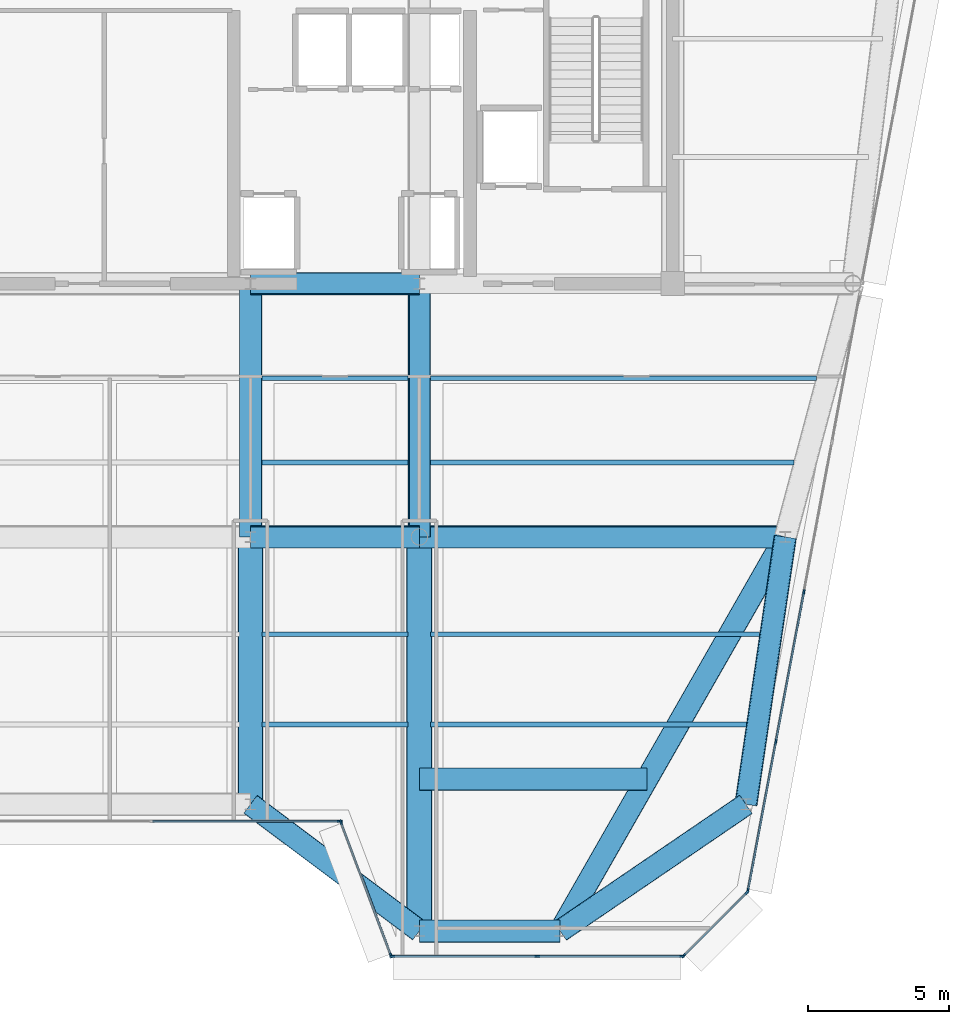
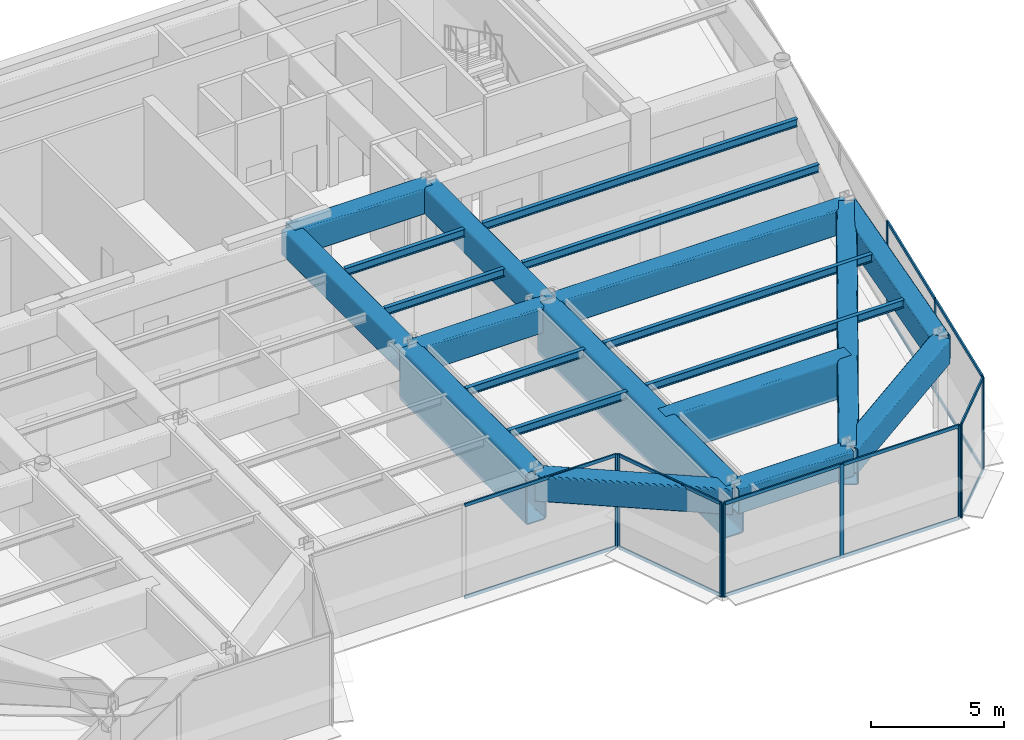
# One storey, part 6 of 20: 25 members, 21 beams, 5 elements without a shape of their own.
"""IFC4 building model written with IfcOpenShell, lengths in metres."""

import ifcopenshell
import ifcopenshell.guid

model = None  # the IFC model being written
_history = None  # IfcOwnerHistory: only IFC2X3 demands one
_inside = {}  # id of a spatial element -> (the spatial element, [elements in it])
_under = {}  # id of a project, library or spatial element -> (it, [spatial elements below it])
_declared = {}  # id of a project -> (the project, [libraries it declares])
_typed = {}  # id of a type object -> (the type object, [elements of that type])
_made_of = {}  # id of a material, layer set ... -> (it, [elements and type objects made of it])


def new_model(schema):
    """Start an empty IFC model of exactly this schema.

    Asked for "IFC4X3", IfcOpenShell would pick the latest addendum, in which some entities
    have other attributes; the version numbers below select the first issue.
    IFC2X3 requires an IfcOwnerHistory on every rooted entity: one is made here for all.
    """
    global model, _history
    if schema == "IFC4X3":
        model = ifcopenshell.file(schema_version=(4, 3, 0, 0))
    else:
        model = ifcopenshell.file(schema=schema)
    _inside.clear()
    _under.clear()
    _declared.clear()
    _typed.clear()
    _made_of.clear()
    _history = None
    if model.schema == "IFC2X3":
        org = make("IfcOrganization", Name="unknown")
        user = make(
            "IfcPersonAndOrganization",
            ThePerson=make("IfcPerson", FamilyName="unknown"),
            TheOrganization=org,
        )
        app = make(
            "IfcApplication",
            ApplicationDeveloper=org,
            Version="unknown",
            ApplicationFullName="unknown",
            ApplicationIdentifier="unknown",
        )
        _history = make(
            "IfcOwnerHistory",
            OwningUser=user,
            OwningApplication=app,
            ChangeAction="ADDED",
            CreationDate=0,
        )
    return model


def make(cls, **values):
    """One entity of the class cls with the attributes given. An attribute that is None is left unset."""
    return model.create_entity(
        cls, **{name: value for name, value in values.items() if value is not None}
    )


def rooted(cls, **values):
    """An entity with a GlobalId (a new one), such as an element, a storey or a relation."""
    return make(cls, GlobalId=ifcopenshell.guid.new(), OwnerHistory=_history, **values)


def si_unit(unit_type, name, prefix=None):
    """IfcSIUnit, for example si_unit("LENGTHUNIT", "METRE", prefix="MILLI")."""
    return make("IfcSIUnit", UnitType=unit_type, Prefix=prefix, Name=name)


def assignment(units):
    """IfcUnitAssignment: the units of a project."""
    return None if units is None else make("IfcUnitAssignment", Units=units)


def point(xyz):
    """IfcCartesianPoint."""
    return None if xyz is None else make("IfcCartesianPoint", Coordinates=xyz)


def direction(xyz):
    """IfcDirection."""
    return None if xyz is None else make("IfcDirection", DirectionRatios=xyz)


def frame(location, z_axis=None, x_axis=None):
    """IfcAxis2Placement3D, a coordinate frame: its origin and axes. An axis left out is left unset."""
    return make(
        "IfcAxis2Placement3D",
        Location=point(location),
        Axis=direction(z_axis),
        RefDirection=direction(x_axis),
    )


def frame_2d(location, x_axis=None):
    """IfcAxis2Placement2D, a coordinate frame in the plane: its origin and x axis."""
    return make(
        "IfcAxis2Placement2D", Location=point(location), RefDirection=direction(x_axis)
    )


def origin():
    """The frame at (0, 0, 0) with its axes left unset."""
    return frame((0.0, 0.0, 0.0))


def origin_2d():
    """The frame at (0, 0) in the plane with its x axis left unset."""
    return frame_2d((0.0, 0.0))


def place(relative_to, where):
    """IfcLocalPlacement: puts the frame where relative to a parent placement (None: the world)."""
    return make(
        "IfcLocalPlacement", PlacementRelTo=relative_to, RelativePlacement=where
    )


def context(
    kind, dimensions, precision=None, world=None, true_north=None, identifier=None
):
    """IfcGeometricRepresentationContext, for example the 3D "Model" context."""
    return make(
        "IfcGeometricRepresentationContext",
        ContextIdentifier=identifier,
        ContextType=kind,
        CoordinateSpaceDimension=dimensions,
        Precision=precision,
        WorldCoordinateSystem=world,
        TrueNorth=true_north,
    )


def subcontext(parent, identifier, kind, view, scale=None):
    """IfcGeometricRepresentationSubContext, for example "Body" below "Model"."""
    return make(
        "IfcGeometricRepresentationSubContext",
        ContextIdentifier=identifier,
        ContextType=kind,
        ParentContext=parent,
        TargetScale=scale,
        TargetView=view,
    )


def project(units=None, contexts=None):
    """IfcProject with its units and contexts."""
    return rooted(
        "IfcProject",
        Name="project",
        RepresentationContexts=contexts,
        UnitsInContext=assignment(units),
    )


def spatial(cls, under=None, at=None, **own):
    """A site, building, storey or space (cls), placed at a placement, below another one or the project."""
    s = rooted(cls, ObjectPlacement=at, **own)
    if under is not None:
        _under.setdefault(under.id(), (under, []))[1].append(s)
    return s


def profile(cls, at=None, kind="AREA", **sizes):
    """A parametric profile (cls). Its sizes go by their IFC names, for example OverallWidth=200.0."""
    return make(cls, ProfileType=kind, Position=at, **sizes)


def rectangle(**sizes):
    """IfcRectangleProfileDef."""
    return profile("IfcRectangleProfileDef", **sizes)


def hollow_rectangle(**sizes):
    """IfcRectangleHollowProfileDef."""
    return profile("IfcRectangleHollowProfileDef", **sizes)


def i_section(**sizes):
    """IfcIShapeProfileDef."""
    return profile("IfcIShapeProfileDef", **sizes)


def extrude(swept, where, along, depth):
    """IfcExtrudedAreaSolid: the profile swept, set in the frame where, extruded along a direction by depth."""
    return make(
        "IfcExtrudedAreaSolid",
        SweptArea=swept,
        Position=where,
        ExtrudedDirection=direction(along),
        Depth=depth,
    )


def shape(context_of_items, identifier, shape_type, items):
    """IfcShapeRepresentation: the items that make up one representation, for example the "Body"."""
    return make(
        "IfcShapeRepresentation",
        ContextOfItems=context_of_items,
        RepresentationIdentifier=identifier,
        RepresentationType=shape_type,
        Items=items,
    )


def source(mapping_origin, context_of_items, identifier, shape_type, items):
    """IfcRepresentationMap: a shape defined once, which mapped items show again and again."""
    return make(
        "IfcRepresentationMap",
        MappingOrigin=mapping_origin,
        MappedRepresentation=shape(context_of_items, identifier, shape_type, items),
    )


def transform(
    local_origin,
    x_axis=None,
    y_axis=None,
    z_axis=None,
    scale=None,
    scale2=None,
    scale3=None,
    uniform=True,
):
    """IfcCartesianTransformationOperator3D, or its non-uniform kind. x_axis, y_axis, z_axis: its Axis1, 2, 3."""
    if uniform:
        return make(
            "IfcCartesianTransformationOperator3D",
            Axis1=direction(x_axis),
            Axis2=direction(y_axis),
            LocalOrigin=point(local_origin),
            Scale=scale,
            Axis3=direction(z_axis),
        )
    return make(
        "IfcCartesianTransformationOperator3DnonUniform",
        Axis1=direction(x_axis),
        Axis2=direction(y_axis),
        LocalOrigin=point(local_origin),
        Scale=scale,
        Axis3=direction(z_axis),
        Scale2=scale2,
        Scale3=scale3,
    )


def mapped(mapping_source, mapping_target):
    """IfcMappedItem: shows the shape of a source again, moved by a transform."""
    return make(
        "IfcMappedItem", MappingSource=mapping_source, MappingTarget=mapping_target
    )


def material(Name=None, Category=None):
    """IfcMaterial."""
    return make("IfcMaterial", Name=Name, Category=Category)


def layer(
    of_material, thickness, ventilated=None, Name=None, Category=None, Priority=None
):
    """IfcMaterialLayer: one layer of a wall or slab, of a material (None: an air gap)."""
    return make(
        "IfcMaterialLayer",
        Material=of_material,
        LayerThickness=thickness,
        IsVentilated=ventilated,
        Name=Name,
        Category=Category,
        Priority=Priority,
    )


def layer_set(layers, Name=None):
    """IfcMaterialLayerSet."""
    return make("IfcMaterialLayerSet", MaterialLayers=layers, LayerSetName=Name)


def material_profile(
    of_material, cross_section, Name=None, Category=None, Priority=None
):
    """IfcMaterialProfile: a cross section and its material."""
    return make(
        "IfcMaterialProfile",
        Name=Name,
        Material=of_material,
        Profile=cross_section,
        Priority=Priority,
        Category=Category,
    )


def profile_set(profiles, Name=None, composite=None):
    """IfcMaterialProfileSet."""
    return make(
        "IfcMaterialProfileSet",
        Name=Name,
        MaterialProfiles=profiles,
        CompositeProfile=composite,
    )


def made_of(thing, what):
    """Note that an element or type object is made of a material, layer set ...; save() writes the relation."""
    if what is not None:
        _made_of.setdefault(what.id(), (what, []))[1].append(thing)
    return thing


def type_object(cls, material=None, **own):
    """A type object (cls), such as IfcWallType, which elements share."""
    return made_of(rooted(cls, **own), material)


def element(
    cls,
    number,
    at=None,
    inside=None,
    cuts=None,
    type_object=None,
    material=None,
    context=None,
    identifier="Body",
    shape_type=None,
    held_by="IfcProductDefinitionShape",
    body=None,
    shapes=None,
    **own,
):
    """One element of the class cls, such as IfcWall. Its Tag is "e" and its number.

    at: its placement. inside: the storey or other place that contains it. cuts: it is an
    opening in that element (IfcRelVoidsElement). A single representation is given by context,
    identifier, shape_type and body (its items); several are given by shapes. held_by: the class
    of the entity that holds the representations. save() writes the other relations.
    """
    e = rooted(cls, Tag="e%d" % number, ObjectPlacement=at, **own)
    if body is not None:
        shapes = [shape(context, identifier, shape_type, body)]
    if shapes is not None:
        e.Representation = make(held_by, Representations=shapes)
    if inside is not None:
        _inside.setdefault(inside.id(), (inside, []))[1].append(e)
    if cuts is not None:
        rooted(
            "IfcRelVoidsElement", RelatingBuildingElement=cuts, RelatedOpeningElement=e
        )
    if type_object is not None:
        _typed.setdefault(type_object.id(), (type_object, []))[1].append(e)
    return made_of(e, material)


def aggregate(whole, parts):
    """IfcRelAggregates: a whole, such as a stair, and the parts it consists of."""
    return rooted("IfcRelAggregates", RelatingObject=whole, RelatedObjects=parts)


def save(model, path):
    """Write the relations noted so far, then the file.

    IfcRelAggregates (storeys below a building ...), IfcRelContainedInSpatialStructure (elements
    in a storey), IfcRelDefinesByType, IfcRelAssociatesMaterial and IfcRelDeclares: one each for
    every whole, place, type object, material and project.
    """
    for whole, parts in _under.values():
        aggregate(whole, parts)
    for where, things in _inside.values():
        rooted(
            "IfcRelContainedInSpatialStructure",
            RelatedElements=things,
            RelatingStructure=where,
        )
    for kind, things in _typed.values():
        rooted("IfcRelDefinesByType", RelatedObjects=things, RelatingType=kind)
    for what, things in _made_of.values():
        rooted("IfcRelAssociatesMaterial", RelatedObjects=things, RelatingMaterial=what)
    for by, libraries in _declared.values():
        rooted("IfcRelDeclares", RelatingContext=by, RelatedDefinitions=libraries)
    model.write(path)


model = new_model("IFC4")

# Units and contexts
model_context = context("Model", 3, precision=1e-05, world=origin(), true_north=direction((0.0, 1.0)))
body_context = subcontext(model_context, "Body", "Model", "MODEL_VIEW")
ifc_project = project(units=[si_unit("LENGTHUNIT", "METRE"), si_unit("AREAUNIT", "SQUARE_METRE"), si_unit("VOLUMEUNIT", "CUBIC_METRE"), si_unit("PLANEANGLEUNIT", "RADIAN"), si_unit("MASSUNIT", "GRAM", prefix="KILO")], contexts=[model_context])

# Site, building, storey
site_placement = place(None, origin())
site = spatial("IfcSite", under=ifc_project, at=site_placement, CompositionType="ELEMENT")
building_placement = place(site_placement, origin())
building = spatial("IfcBuilding", under=site, at=building_placement, Name="Vaeldorn Concourse Tower", CompositionType="ELEMENT")
storey_placement = place(building_placement, frame((0.0, 0.0, 299.199951171875)))
storey = spatial("IfcBuildingStorey", under=building, at=storey_placement, Name="L77", CompositionType="ELEMENT", Elevation=299.199951171875)

# Beams
ifc_material_1 = material(Name="Steel S460", Category="steel")
ifc_material_profile_1 = material_profile(ifc_material_1, hollow_rectangle(XDim=0.800048828125, YDim=1.199951171875, WallThickness=0.044921875, InnerFilletRadius=0.044921875, OuterFilletRadius=0.090087890625, at=origin_2d()), Name="RHS 1200x800x45")
ifc_profile_set_1 = profile_set([ifc_material_profile_1], Name="Steel S460")
beam_type_1 = type_object("IfcBeamType", Name="BM-TG-RHS1200", PredefinedType="BEAM", material=ifc_profile_set_1)
shared_shape_1 = source(origin(), body_context, "Body", "SweptSolid", [
    extrude(hollow_rectangle(XDim=0.800048828125, YDim=1.199951171875, WallThickness=0.044921875, InnerFilletRadius=0.044921875, OuterFilletRadius=0.090087890625, at=origin_2d()), origin(), (0.0, 0.0, 1.0), 6.0),
])
for number, where, z_axis, x_axis, name in (
    (1, (39.0, 36.5, 3.699951171875), (1.0, 0.0, 0.0), (0.0, 1.0, 0.0), "Beam BM-L77-C-FC4-C-FC5"),
    (2, (39.0, 27.5, 3.699951171875), (1.0, 0.0, 0.0), (0.0, 1.0, 0.0), "Beam BM-L77-C-TW3-C-TW4"),
):
    element("IfcBeam", number, at=place(storey_placement, frame(where, z_axis=z_axis, x_axis=x_axis)), inside=storey, type_object=beam_type_1, Name=name, PredefinedType="BEAM", context=body_context, shape_type="MappedRepresentation", body=[
        mapped(shared_shape_1, transform((0.0, 0.0, 0.0), scale=1.0)),
    ])
shared_shape_2 = source(origin(), body_context, "Body", "SweptSolid", [
    extrude(hollow_rectangle(XDim=0.800048828125, YDim=1.199951171875, WallThickness=0.044921875, InnerFilletRadius=0.044921875, OuterFilletRadius=0.090087890625, at=origin_2d()), origin(), (0.0, 0.0, 1.0), 9.0),
])
for number, where, z_axis, x_axis, name in (
    (3, (39.0, 27.5, 3.699951171875), (0.0, 1.0, 0.0), (-1.0, 0.0, 0.0), "Beam BM-L77-C-TW3-C-FC4"),
    (4, (45.0, 27.5, 3.699951171875), (0.0, 1.0, 0.0), (-1.0, 0.0, 0.0), "Beam BM-L77-C-TW4-C-FC5"),
):
    element("IfcBeam", number, at=place(storey_placement, frame(where, z_axis=z_axis, x_axis=x_axis)), inside=storey, type_object=beam_type_1, Name=name, PredefinedType="BEAM", context=body_context, shape_type="MappedRepresentation", body=[
        mapped(shared_shape_2, transform((0.0, 0.0, 0.0), scale=1.0)),
    ])
shared_shape_3 = source(origin(), body_context, "Body", "SweptSolid", [
    extrude(hollow_rectangle(XDim=0.800048828125, YDim=1.199951171875, WallThickness=0.044921875, InnerFilletRadius=0.044921875, OuterFilletRadius=0.090087890625, at=origin_2d()), origin(), (0.0, 0.0, 1.0), 13.0),
])
beam_1_placement = place(storey_placement, frame((45.0, 27.5, 3.699951171875), z_axis=(1.0, 0.0, 0.0), x_axis=(0.0, 1.0, 0.0)))
element("IfcBeam", 5, at=beam_1_placement, inside=storey, type_object=beam_type_1, Name="Beam BM-L77-C-TW4-C-FLE1", PredefinedType="BEAM", context=body_context, shape_type="MappedRepresentation", body=[
    mapped(shared_shape_3, transform((0.0, 0.0, 0.0), scale=1.0)),
])
shared_shape_4 = source(origin(), body_context, "Body", "SweptSolid", [
    extrude(hollow_rectangle(XDim=0.800048828125, YDim=1.199951171875, WallThickness=0.044921875, InnerFilletRadius=0.044921875, OuterFilletRadius=0.090087890625, at=origin_2d()), origin(), (0.0, 0.0, 1.0), 5.0),
])
beam_2_placement = place(storey_placement, frame((45.0, 13.5, 3.699951171875), z_axis=(1.0, 0.0, 0.0), x_axis=(0.0, 1.0, 0.0)))
element("IfcBeam", 6, at=beam_2_placement, inside=storey, type_object=beam_type_1, Name="Beam BM-L77-C-SF5-C-SF6", PredefinedType="BEAM", context=body_context, shape_type="MappedRepresentation", body=[
    mapped(shared_shape_4, transform((0.0, 0.0, 0.0), scale=1.0)),
])
shared_shape_5 = source(origin(), body_context, "Body", "SweptSolid", [
    extrude(hollow_rectangle(XDim=0.800048828125, YDim=1.199951171875, WallThickness=0.044921875, InnerFilletRadius=0.044921875, OuterFilletRadius=0.090087890625, at=origin_2d()), origin(), (0.0, 0.0, 1.0), 7.5),
])
beam_3_placement = place(storey_placement, frame((39.0, 18.0, 3.699951171875), z_axis=(0.8, -0.6, 0.0), x_axis=(0.6, 0.8, 0.0)))
element("IfcBeam", 7, at=beam_3_placement, inside=storey, type_object=beam_type_1, Name="Beam BM-L77-C-SF4-C-SF5", PredefinedType="BEAM", context=body_context, shape_type="MappedRepresentation", body=[
    mapped(shared_shape_5, transform((0.0, 0.0, 0.0), scale=1.0)),
])
shared_shape_6 = source(origin(), body_context, "Body", "SweptSolid", [
    extrude(hollow_rectangle(XDim=0.800048828125, YDim=1.199951171875, WallThickness=0.044921875, InnerFilletRadius=0.044921875, OuterFilletRadius=0.090087890625, at=origin_2d()), origin(), (0.0, 0.0, 1.0), 9.6025390625),
])
beam_4_placement = place(storey_placement, frame((58.0, 27.5, 3.699951171875), z_axis=(-0.145783835977, -0.989316467652, 0.0), x_axis=(0.989316467652, -0.145783835977, 0.0)))
element("IfcBeam", 8, at=beam_4_placement, inside=storey, type_object=beam_type_1, Name="Beam BM-L77-C-FLE1-C-FLE2", PredefinedType="BEAM", context=body_context, shape_type="MappedRepresentation", body=[
    mapped(shared_shape_6, transform((0.0, 0.0, 0.0), scale=1.0)),
])
ifc_material_2 = material(Name="Steel S355", Category="steel")
ifc_material_profile_2 = material_profile(ifc_material_2, i_section(OverallWidth=0.169921875, OverallDepth=0.360107421875, WebThickness=0.008056640625, FlangeThickness=0.0126953125, FilletRadius=0.01806640625, at=origin_2d()), Name="IPE 360")
ifc_profile_set_2 = profile_set([ifc_material_profile_2], Name="Steel S355")
beam_type_2 = type_object("IfcBeamType", Name="BM-JS-IPE360", PredefinedType="JOIST", material=ifc_profile_set_2)
shared_shape_7 = source(origin(), body_context, "Body", "SweptSolid", [
    extrude(i_section(OverallWidth=0.169921875, OverallDepth=0.360107421875, WebThickness=0.008056640625, FlangeThickness=0.0126953125, FilletRadius=0.01806640625, at=origin_2d()), origin(), (0.0, 0.0, 1.0), 5.2001953125),
])
for number, where, z_axis, x_axis, name in (
    (9, (39.39990234375, 20.840087890625, 4.1201171875), (1.0, 0.0, 0.0), (0.0, 1.0, 0.0), "Beam JS-L77-E2-208"),
    (10, (39.39990234375, 24.0400390625, 4.1201171875), (1.0, 0.0, 0.0), (0.0, 1.0, 0.0), "Beam JS-L77-E2-240"),
    (11, (39.39990234375, 30.139892578125, 4.1201171875), (1.0, 0.0, 0.0), (0.0, 1.0, 0.0), "Beam JS-L77-E2-301"),
    (12, (39.39990234375, 33.139892578125, 4.1201171875), (1.0, 0.0, 0.0), (0.0, 1.0, 0.0), "Beam JS-L77-E2-331"),
):
    element("IfcBeam", number, at=place(storey_placement, frame(where, z_axis=z_axis, x_axis=x_axis)), inside=storey, type_object=beam_type_2, Name=name, PredefinedType="JOIST", context=body_context, shape_type="MappedRepresentation", body=[
        mapped(shared_shape_7, transform((0.0, 0.0, 0.0), scale=1.0)),
    ])
ifc_material_profile_3 = material_profile(ifc_material_1, hollow_rectangle(XDim=0.89990234375, YDim=2.39990234375, WallThickness=0.06005859375, InnerFilletRadius=0.06005859375, OuterFilletRadius=0.1201171875, at=origin_2d()), Name="RHS 2400x900x60")
ifc_profile_set_3 = profile_set([ifc_material_profile_3], Name="Steel S460")
beam_type_3 = type_object("IfcBeamType", Name="BM-TG-BOX2400", PredefinedType="BEAM", material=ifc_profile_set_3)
shared_shape_8 = source(origin(), body_context, "Body", "SweptSolid", [
    extrude(hollow_rectangle(XDim=0.89990234375, YDim=2.39990234375, WallThickness=0.06005859375, InnerFilletRadius=0.06005859375, OuterFilletRadius=0.1201171875, at=origin_2d()), origin(), (0.0, 0.0, 1.0), 14.0),
])
beam_5_placement = place(storey_placement, frame((45.0, 13.5, 3.10009765625), z_axis=(0.0, 1.0, 0.0), x_axis=(-1.0, 0.0, 0.0)))
element("IfcBeam", 13, at=beam_5_placement, inside=storey, type_object=beam_type_3, Name="Beam BM-SETBACK-L77-C-SF5", PredefinedType="BEAM", context=body_context, shape_type="MappedRepresentation", body=[
    mapped(shared_shape_8, transform((0.0, 0.0, 0.0), scale=1.0)),
])
shared_shape_9 = source(origin(), body_context, "Body", "SweptSolid", [
    extrude(hollow_rectangle(XDim=0.89990234375, YDim=2.39990234375, WallThickness=0.06005859375, InnerFilletRadius=0.06005859375, OuterFilletRadius=0.1201171875, at=origin_2d()), origin(), (0.0, 0.0, 1.0), 9.5),
])
beam_6_placement = place(storey_placement, frame((39.0, 18.0, 3.10009765625), z_axis=(0.0, 1.0, 0.0), x_axis=(-1.0, 0.0, 0.0)))
element("IfcBeam", 14, at=beam_6_placement, inside=storey, type_object=beam_type_3, Name="Beam BM-SETBACK-L77-C-SF4", PredefinedType="BEAM", context=body_context, shape_type="MappedRepresentation", body=[
    mapped(shared_shape_9, transform((0.0, 0.0, 0.0), scale=1.0)),
])
ifc_material_profile_4 = material_profile(ifc_material_1, hollow_rectangle(XDim=0.800048828125, YDim=1.800048828125, WallThickness=0.050048828125, InnerFilletRadius=0.050048828125, OuterFilletRadius=0.10009765625, at=origin_2d()), Name="RHS 1800x800x50")
ifc_profile_set_4 = profile_set([ifc_material_profile_4], Name="Steel S460")
beam_type_4 = type_object("IfcBeamType", Name="BM-TG-BOX1800", PredefinedType="BEAM", material=ifc_profile_set_4)
shared_shape_10 = source(origin(), body_context, "Body", "SweptSolid", [
    extrude(hollow_rectangle(XDim=0.800048828125, YDim=1.800048828125, WallThickness=0.050048828125, InnerFilletRadius=0.050048828125, OuterFilletRadius=0.10009765625, at=origin_2d()), origin(), (0.0, 0.0, 1.0), 16.12451171875),
])
beam_7_placement = place(storey_placement, frame((50.0, 13.5, 3.400146484375), z_axis=(0.496138938357, 0.868243142124, 0.0), x_axis=(-0.868243142124, 0.496138938357, 0.0)))
element("IfcBeam", 15, at=beam_7_placement, inside=storey, type_object=beam_type_4, Name="Beam BM-SETBACK-FL-L77-C-SF6", PredefinedType="BEAM", context=body_context, shape_type="MappedRepresentation", body=[
    mapped(shared_shape_10, transform((0.0, 0.0, 0.0), scale=1.0)),
])
shared_shape_11 = source(origin(), body_context, "Body", "SweptSolid", [
    extrude(hollow_rectangle(XDim=0.800048828125, YDim=1.800048828125, WallThickness=0.050048828125, InnerFilletRadius=0.050048828125, OuterFilletRadius=0.10009765625, at=origin_2d()), origin(), (0.0, 0.0, 1.0), 8.085693359375),
])
beam_8_placement = place(storey_placement, frame((53.085693359375, 18.89990234375, 3.400146484375), z_axis=(-1.0, 0.0, 0.0), x_axis=(0.0, -1.0, 0.0)))
element("IfcBeam", 16, at=beam_8_placement, inside=storey, type_object=beam_type_4, Name="Beam BM-SETBACK-EW-L77-C-SF6", PredefinedType="BEAM", context=body_context, shape_type="MappedRepresentation", body=[
    mapped(shared_shape_11, transform((0.0, 0.0, 0.0), scale=1.0)),
])
shared_shape_12 = source(origin(), body_context, "Body", "SweptSolid", [
    extrude(hollow_rectangle(XDim=0.800048828125, YDim=1.199951171875, WallThickness=0.044921875, InnerFilletRadius=0.044921875, OuterFilletRadius=0.090087890625, at=origin_2d()), origin(), (0.0, 0.0, 1.0), 7.98828125),
])
beam_9_placement = place(storey_placement, frame((50.0, 13.5, 3.699951171875), z_axis=(0.826231222393, 0.56333113454, 0.0), x_axis=(-0.56333113454, 0.826231222393, 0.0)))
element("IfcBeam", 17, at=beam_9_placement, inside=storey, type_object=beam_type_1, Name="Beam BM-L77-C-SF6-C-FLE2", PredefinedType="BEAM", context=body_context, shape_type="MappedRepresentation", body=[
    mapped(shared_shape_12, transform((0.0, 0.0, 0.0), scale=1.0)),
])
shared_shape_13 = source(origin(), body_context, "Body", "SweptSolid", [
    extrude(i_section(OverallWidth=0.169921875, OverallDepth=0.360107421875, WebThickness=0.008056640625, FlangeThickness=0.0126953125, FilletRadius=0.01806640625, at=origin_2d()), origin(), (0.0, 0.0, 1.0), 11.218505859375),
])
beam_10_placement = place(storey_placement, frame((45.39990234375, 20.840087890625, 4.1201171875), z_axis=(1.0, 0.0, 0.0), x_axis=(0.0, 1.0, 0.0)))
element("IfcBeam", 18, at=beam_10_placement, inside=storey, type_object=beam_type_2, Name="Beam JS-L77-E1-208", PredefinedType="JOIST", context=body_context, shape_type="MappedRepresentation", body=[
    mapped(shared_shape_13, transform((0.0, 0.0, 0.0), scale=1.0)),
])
shared_shape_14 = source(origin(), body_context, "Body", "SweptSolid", [
    extrude(i_section(OverallWidth=0.169921875, OverallDepth=0.360107421875, WebThickness=0.008056640625, FlangeThickness=0.0126953125, FilletRadius=0.01806640625, at=origin_2d()), origin(), (0.0, 0.0, 1.0), 11.690185546875),
])
beam_11_placement = place(storey_placement, frame((45.39990234375, 24.0400390625, 4.1201171875), z_axis=(1.0, 0.0, 0.0), x_axis=(0.0, 1.0, 0.0)))
element("IfcBeam", 19, at=beam_11_placement, inside=storey, type_object=beam_type_2, Name="Beam JS-L77-E1-240", PredefinedType="JOIST", context=body_context, shape_type="MappedRepresentation", body=[
    mapped(shared_shape_14, transform((0.0, 0.0, 0.0), scale=1.0)),
])
shared_shape_15 = source(origin(), body_context, "Body", "SweptSolid", [
    extrude(i_section(OverallWidth=0.169921875, OverallDepth=0.360107421875, WebThickness=0.008056640625, FlangeThickness=0.0126953125, FilletRadius=0.01806640625, at=origin_2d()), origin(), (0.0, 0.0, 1.0), 12.904052734375),
])
beam_12_placement = place(storey_placement, frame((45.39990234375, 30.139892578125, 4.1201171875), z_axis=(1.0, 0.0, 0.0), x_axis=(0.0, 1.0, 0.0)))
element("IfcBeam", 20, at=beam_12_placement, inside=storey, type_object=beam_type_2, Name="Beam JS-L77-E1-301", PredefinedType="JOIST", context=body_context, shape_type="MappedRepresentation", body=[
    mapped(shared_shape_15, transform((0.0, 0.0, 0.0), scale=1.0)),
])
shared_shape_16 = source(origin(), body_context, "Body", "SweptSolid", [
    extrude(i_section(OverallWidth=0.169921875, OverallDepth=0.360107421875, WebThickness=0.008056640625, FlangeThickness=0.0126953125, FilletRadius=0.01806640625, at=origin_2d()), origin(), (0.0, 0.0, 1.0), 13.7041015625),
])
beam_13_placement = place(storey_placement, frame((45.39990234375, 33.139892578125, 4.1201171875), z_axis=(1.0, 0.0, 0.0), x_axis=(0.0, 1.0, 0.0)))
element("IfcBeam", 21, at=beam_13_placement, inside=storey, type_object=beam_type_2, Name="Beam JS-L77-E1-331", PredefinedType="JOIST", context=body_context, shape_type="MappedRepresentation", body=[
    mapped(shared_shape_16, transform((0.0, 0.0, 0.0), scale=1.0)),
])

# Curtain wall, members
ifc_material_3 = material(Name="Anodised Bronze Aluminium", Category="aluminium")
ifc_layer = layer(ifc_material_3, 0.179931640625)
ifc_layer_set = layer_set([ifc_layer], Name="Anodised Bronze Aluminium")
curtain_wall_type = type_object("IfcCurtainWallType", Name="CW-SYS-05", PredefinedType="NOTDEFINED", material=ifc_layer_set)
curtain_wall_1_placement = place(storey_placement, origin())
curtain_wall_1 = element("IfcCurtainWall", 22, at=curtain_wall_1_placement, inside=storey, type_object=curtain_wall_type, Name="Unitised Curtain Wall CW-L77-E04-1", PredefinedType="NOTDEFINED")
ifc_material_profile_5 = material_profile(ifc_material_3, rectangle(XDim=0.06494140625, YDim=0.14990234375, at=origin_2d()), Name="CWT 65x150")
ifc_profile_set_5 = profile_set([ifc_material_profile_5], Name="Anodised Bronze Aluminium")
member_type_1 = type_object("IfcMemberType", Name="CWT-BRONZE-150", PredefinedType="USERDEFINED", material=ifc_profile_set_5)
shared_shape_17 = source(origin(), body_context, "Body", "SweptSolid", [
    extrude(rectangle(XDim=0.06494140625, YDim=0.14990234375, at=origin_2d()), origin(), (0.0, 0.0, 1.0), 4.996337890625),
])
member_1_placement = place(storey_placement, frame((42.222900390625, 17.339111328125, 0.032470703125), z_axis=(0.351134151405, -0.936325161318, 0.0), x_axis=(0.936325161318, 0.351134151405, 0.0)))
member_1 = element("IfcMember", 23, at=member_1_placement, type_object=member_type_1, Name="CW-05 transom 1.1", ObjectType="TRANSOM", PredefinedType="USERDEFINED", context=body_context, shape_type="MappedRepresentation", body=[
    mapped(shared_shape_17, transform((0.0, 0.0, 0.0), scale=1.0)),
])
member_2_placement = place(storey_placement, frame((42.222900390625, 17.339111328125, 4.267578125), z_axis=(0.351134151405, -0.936325161318, 0.0), x_axis=(0.936325161318, 0.351134151405, 0.0)))
member_2 = element("IfcMember", 24, at=member_2_placement, type_object=member_type_1, Name="CW-05 transom 1.2", ObjectType="TRANSOM", PredefinedType="USERDEFINED", context=body_context, shape_type="MappedRepresentation", body=[
    mapped(shared_shape_17, transform((0.0, 0.0, 0.0), scale=1.0)),
])

curtain_wall_2_placement = place(storey_placement, origin())
curtain_wall_2 = element("IfcCurtainWall", 25, at=curtain_wall_2_placement, inside=storey, type_object=curtain_wall_type, Name="Unitised Curtain Wall CW-L77-E03-1", PredefinedType="NOTDEFINED")
shared_shape_18 = source(origin(), body_context, "Body", "SweptSolid", [
    extrude(rectangle(XDim=0.06494140625, YDim=0.14990234375, at=origin_2d()), origin(), (0.0, 0.0, 1.0), 6.6025390625),
])
member_3_placement = place(storey_placement, frame((35.532470703125, 17.39990234375, 0.032470703125), z_axis=(1.0, 0.0, 0.0), x_axis=(0.0, 1.0, 0.0)))
member_3 = element("IfcMember", 26, at=member_3_placement, type_object=member_type_1, Name="CW-05 transom 2.1", ObjectType="TRANSOM", PredefinedType="USERDEFINED", context=body_context, shape_type="MappedRepresentation", body=[
    mapped(shared_shape_18, transform((0.0, 0.0, 0.0), scale=1.0)),
])
member_4_placement = place(storey_placement, frame((35.532470703125, 17.39990234375, 4.267578125), z_axis=(1.0, 0.0, 0.0), x_axis=(0.0, 1.0, 0.0)))
member_4 = element("IfcMember", 27, at=member_4_placement, type_object=member_type_1, Name="CW-05 transom 2.2", ObjectType="TRANSOM", PredefinedType="USERDEFINED", context=body_context, shape_type="MappedRepresentation", body=[
    mapped(shared_shape_18, transform((0.0, 0.0, 0.0), scale=1.0)),
])

curtain_wall_3_placement = place(storey_placement, origin())
curtain_wall_3 = element("IfcCurtainWall", 28, at=curtain_wall_3_placement, inside=storey, type_object=curtain_wall_type, Name="Unitised Curtain Wall CW-L77-E06-1", PredefinedType="NOTDEFINED")
shared_shape_19 = source(origin(), body_context, "Body", "SweptSolid", [
    extrude(rectangle(XDim=0.06494140625, YDim=0.14990234375, at=origin_2d()), origin(), (0.0, 0.0, 1.0), 3.12255859375),
])
member_5_placement = place(storey_placement, frame((54.409912109375, 12.64599609375, 0.032470703125), z_axis=(0.707106781187, 0.707106781187, 0.0), x_axis=(-0.707106781187, 0.707106781187, 0.0)))
member_5 = element("IfcMember", 29, at=member_5_placement, type_object=member_type_1, Name="CW-05 transom 1.1", ObjectType="TRANSOM", PredefinedType="USERDEFINED", context=body_context, shape_type="MappedRepresentation", body=[
    mapped(shared_shape_19, transform((0.0, 0.0, 0.0), scale=1.0)),
])
member_6_placement = place(storey_placement, frame((54.409912109375, 12.64599609375, 4.267578125), z_axis=(0.707106781187, 0.707106781187, 0.0), x_axis=(-0.707106781187, 0.707106781187, 0.0)))
member_6 = element("IfcMember", 30, at=member_6_placement, type_object=member_type_1, Name="CW-05 transom 1.2", ObjectType="TRANSOM", PredefinedType="USERDEFINED", context=body_context, shape_type="MappedRepresentation", body=[
    mapped(shared_shape_19, transform((0.0, 0.0, 0.0), scale=1.0)),
])

curtain_wall_4_placement = place(storey_placement, origin())
curtain_wall_4 = element("IfcCurtainWall", 31, at=curtain_wall_4_placement, inside=storey, type_object=curtain_wall_type, Name="Unitised Curtain Wall CW-L77-E07-1", PredefinedType="NOTDEFINED")
shared_shape_20 = source(origin(), body_context, "Body", "SweptSolid", [
    extrude(rectangle(XDim=0.06494140625, YDim=0.14990234375, at=origin_2d()), origin(), (0.0, 0.0, 1.0), 5.31640625),
])
member_7_placement = place(storey_placement, frame((56.676025390625, 14.9638671875, 0.032470703125), z_axis=(0.184241399207, 0.982881023735, 0.0), x_axis=(-0.982881023735, 0.184241399207, 0.0)))
member_7 = element("IfcMember", 32, at=member_7_placement, type_object=member_type_1, Name="CW-05 transom 1.1", ObjectType="TRANSOM", PredefinedType="USERDEFINED", context=body_context, shape_type="MappedRepresentation", body=[
    mapped(shared_shape_20, transform((0.0, 0.0, 0.0), scale=1.0)),
])
member_8_placement = place(storey_placement, frame((56.676025390625, 14.9638671875, 4.267578125), z_axis=(0.184241399207, 0.982881023735, 0.0), x_axis=(-0.982881023735, 0.184241399207, 0.0)))
member_8 = element("IfcMember", 33, at=member_8_placement, type_object=member_type_1, Name="CW-05 transom 1.2", ObjectType="TRANSOM", PredefinedType="USERDEFINED", context=body_context, shape_type="MappedRepresentation", body=[
    mapped(shared_shape_20, transform((0.0, 0.0, 0.0), scale=1.0)),
])
shared_shape_21 = source(origin(), body_context, "Body", "SweptSolid", [
    extrude(rectangle(XDim=0.06494140625, YDim=0.14990234375, at=origin_2d()), origin(), (0.0, 0.0, 1.0), 5.348876953125),
])
member_9_placement = place(storey_placement, frame((57.66748046875, 20.253173828125, 0.032470703125), z_axis=(0.184260976912, 0.982877353685, 0.0), x_axis=(-0.982877353685, 0.184260976912, 0.0)))
member_9 = element("IfcMember", 34, at=member_9_placement, type_object=member_type_1, Name="CW-05 transom 2.1", ObjectType="TRANSOM", PredefinedType="USERDEFINED", context=body_context, shape_type="MappedRepresentation", body=[
    mapped(shared_shape_21, transform((0.0, 0.0, 0.0), scale=1.0)),
])
member_10_placement = place(storey_placement, frame((57.66748046875, 20.253173828125, 4.267578125), z_axis=(0.184260976912, 0.982877353685, 0.0), x_axis=(-0.982877353685, 0.184260976912, 0.0)))
member_10 = element("IfcMember", 35, at=member_10_placement, type_object=member_type_1, Name="CW-05 transom 2.2", ObjectType="TRANSOM", PredefinedType="USERDEFINED", context=body_context, shape_type="MappedRepresentation", body=[
    mapped(shared_shape_21, transform((0.0, 0.0, 0.0), scale=1.0)),
])

curtain_wall_5_placement = place(storey_placement, origin())
curtain_wall_5 = element("IfcCurtainWall", 36, at=curtain_wall_5_placement, inside=storey, type_object=curtain_wall_type, Name="Unitised Curtain Wall CW-L77-E05-1", PredefinedType="NOTDEFINED")
shared_shape_22 = source(origin(), body_context, "Body", "SweptSolid", [
    extrude(rectangle(XDim=0.06494140625, YDim=0.14990234375, at=origin_2d()), origin(), (0.0, 0.0, 1.0), 5.08447265625),
])
member_11_placement = place(storey_placement, frame((44.06494140625, 12.60009765625, 0.032470703125), z_axis=(1.0, 0.0, 0.0), x_axis=(0.0, 1.0, 0.0)))
member_11 = element("IfcMember", 37, at=member_11_placement, type_object=member_type_1, Name="CW-05 transom 1.1", ObjectType="TRANSOM", PredefinedType="USERDEFINED", context=body_context, shape_type="MappedRepresentation", body=[
    mapped(shared_shape_22, transform((0.0, 0.0, 0.0), scale=1.0)),
])
member_12_placement = place(storey_placement, frame((44.06494140625, 12.60009765625, 4.267578125), z_axis=(1.0, 0.0, 0.0), x_axis=(0.0, 1.0, 0.0)))
member_12 = element("IfcMember", 38, at=member_12_placement, type_object=member_type_1, Name="CW-05 transom 1.2", ObjectType="TRANSOM", PredefinedType="USERDEFINED", context=body_context, shape_type="MappedRepresentation", body=[
    mapped(shared_shape_22, transform((0.0, 0.0, 0.0), scale=1.0)),
])
member_13_placement = place(storey_placement, frame((49.214599609375, 12.60009765625, 0.032470703125), z_axis=(1.0, 0.0, 0.0), x_axis=(0.0, 1.0, 0.0)))
member_13 = element("IfcMember", 39, at=member_13_placement, type_object=member_type_1, Name="CW-05 transom 2.1", ObjectType="TRANSOM", PredefinedType="USERDEFINED", context=body_context, shape_type="MappedRepresentation", body=[
    mapped(shared_shape_22, transform((0.0, 0.0, 0.0), scale=1.0)),
])
member_14_placement = place(storey_placement, frame((49.214599609375, 12.60009765625, 4.267578125), z_axis=(1.0, 0.0, 0.0), x_axis=(0.0, 1.0, 0.0)))
member_14 = element("IfcMember", 40, at=member_14_placement, type_object=member_type_1, Name="CW-05 transom 2.2", ObjectType="TRANSOM", PredefinedType="USERDEFINED", context=body_context, shape_type="MappedRepresentation", body=[
    mapped(shared_shape_22, transform((0.0, 0.0, 0.0), scale=1.0)),
])

# Member
ifc_material_profile_6 = material_profile(ifc_material_3, rectangle(XDim=0.06494140625, YDim=0.169921875, at=origin_2d()), Name="CWM 65x170")
ifc_profile_set_6 = profile_set([ifc_material_profile_6], Name="Anodised Bronze Aluminium")
member_type_2 = type_object("IfcMemberType", Name="CWM-BRONZE-170", PredefinedType="MULLION", material=ifc_profile_set_6)
shared_shape_23 = source(origin(), body_context, "Body", "SweptSolid", [
    extrude(rectangle(XDim=0.06494140625, YDim=0.169921875, at=origin_2d()), origin(), (0.0, 0.0, 1.0), 4.300048828125),
])
member_15_placement = place(storey_placement, frame((42.16748046875, 17.39990234375, 0.0), z_axis=(0.0, 0.0, 1.0), x_axis=(0.0, 1.0, 0.0)))
member_15 = element("IfcMember", 41, at=member_15_placement, type_object=member_type_2, Name="CW-05 mullion 3", PredefinedType="MULLION", context=body_context, shape_type="MappedRepresentation", body=[
    mapped(shared_shape_23, transform((0.0, 0.0, 0.0), scale=1.0)),
])

aggregate(curtain_wall_2, [member_15, member_3, member_4])

member_16_placement = place(storey_placement, frame((42.21142578125, 17.36962890625, 0.0), z_axis=(0.0, 0.0, 1.0), x_axis=(0.936329177566, 0.351123441595, 0.0)))
member_16 = element("IfcMember", 42, at=member_16_placement, type_object=member_type_2, Name="CW-05 mullion 1", PredefinedType="MULLION", context=body_context, shape_type="MappedRepresentation", body=[
    mapped(shared_shape_23, transform((0.0, 0.0, 0.0), scale=1.0)),
])

member_17_placement = place(storey_placement, frame((43.988525390625, 12.63037109375, 0.0), z_axis=(0.0, 0.0, 1.0), x_axis=(0.936329177566, 0.351123441595, 0.0)))
member_17 = element("IfcMember", 43, at=member_17_placement, type_object=member_type_2, Name="CW-05 mullion 2", PredefinedType="MULLION", context=body_context, shape_type="MappedRepresentation", body=[
    mapped(shared_shape_23, transform((0.0, 0.0, 0.0), scale=1.0)),
])

aggregate(curtain_wall_1, [member_16, member_17, member_1, member_2])

member_18_placement = place(storey_placement, frame((44.032470703125, 12.60009765625, 0.0), z_axis=(0.0, 0.0, 1.0), x_axis=(0.0, 1.0, 0.0)))
member_18 = element("IfcMember", 44, at=member_18_placement, type_object=member_type_2, Name="CW-05 mullion 1", PredefinedType="MULLION", context=body_context, shape_type="MappedRepresentation", body=[
    mapped(shared_shape_23, transform((0.0, 0.0, 0.0), scale=1.0)),
])

member_19_placement = place(storey_placement, frame((49.181884765625, 12.60009765625, 0.0), z_axis=(0.0, 0.0, 1.0), x_axis=(0.0, 1.0, 0.0)))
member_19 = element("IfcMember", 45, at=member_19_placement, type_object=member_type_2, Name="CW-05 mullion 2", PredefinedType="MULLION", context=body_context, shape_type="MappedRepresentation", body=[
    mapped(shared_shape_23, transform((0.0, 0.0, 0.0), scale=1.0)),
])

member_20_placement = place(storey_placement, frame((54.33154296875, 12.60009765625, 0.0), z_axis=(0.0, 0.0, 1.0), x_axis=(0.0, 1.0, 0.0)))
member_20 = element("IfcMember", 46, at=member_20_placement, type_object=member_type_2, Name="CW-05 mullion 3", PredefinedType="MULLION", context=body_context, shape_type="MappedRepresentation", body=[
    mapped(shared_shape_23, transform((0.0, 0.0, 0.0), scale=1.0)),
])

aggregate(curtain_wall_5, [member_18, member_19, member_20, member_11, member_12, member_13, member_14])

member_21_placement = place(storey_placement, frame((54.386962890625, 12.623046875, 0.0), z_axis=(0.0, 0.0, 1.0), x_axis=(-0.707106781187, 0.707106781187, 0.0)))
member_21 = element("IfcMember", 47, at=member_21_placement, type_object=member_type_2, Name="CW-05 mullion 1", PredefinedType="MULLION", context=body_context, shape_type="MappedRepresentation", body=[
    mapped(shared_shape_23, transform((0.0, 0.0, 0.0), scale=1.0)),
])

member_22_placement = place(storey_placement, frame((56.64111328125, 14.876953125, 0.0), z_axis=(0.0, 0.0, 1.0), x_axis=(-0.707106781187, 0.707106781187, 0.0)))
member_22 = element("IfcMember", 48, at=member_22_placement, type_object=member_type_2, Name="CW-05 mullion 2", PredefinedType="MULLION", context=body_context, shape_type="MappedRepresentation", body=[
    mapped(shared_shape_23, transform((0.0, 0.0, 0.0), scale=1.0)),
])

aggregate(curtain_wall_3, [member_21, member_22, member_5, member_6])

member_23_placement = place(storey_placement, frame((56.669921875, 14.931884765625, 0.0), z_axis=(0.0, 0.0, 1.0), x_axis=(-0.982880027444, 0.184246714088, 0.0)))
member_23 = element("IfcMember", 49, at=member_23_placement, type_object=member_type_2, Name="CW-05 mullion 1", PredefinedType="MULLION", context=body_context, shape_type="MappedRepresentation", body=[
    mapped(shared_shape_23, transform((0.0, 0.0, 0.0), scale=1.0)),
])

member_24_placement = place(storey_placement, frame((57.66162109375, 20.22119140625, 0.0), z_axis=(0.0, 0.0, 1.0), x_axis=(-0.982880027444, 0.184246714088, 0.0)))
member_24 = element("IfcMember", 50, at=member_24_placement, type_object=member_type_2, Name="CW-05 mullion 2", PredefinedType="MULLION", context=body_context, shape_type="MappedRepresentation", body=[
    mapped(shared_shape_23, transform((0.0, 0.0, 0.0), scale=1.0)),
])

member_25_placement = place(storey_placement, frame((58.658935546875, 25.54248046875, 0.0), z_axis=(0.0, 0.0, 1.0), x_axis=(-0.982880027444, 0.184246714088, 0.0)))
member_25 = element("IfcMember", 51, at=member_25_placement, type_object=member_type_2, Name="CW-05 mullion 3", PredefinedType="MULLION", context=body_context, shape_type="MappedRepresentation", body=[
    mapped(shared_shape_23, transform((0.0, 0.0, 0.0), scale=1.0)),
])

aggregate(curtain_wall_4, [member_23, member_24, member_25, member_7, member_8, member_9, member_10])

save(model, "model.ifc")
